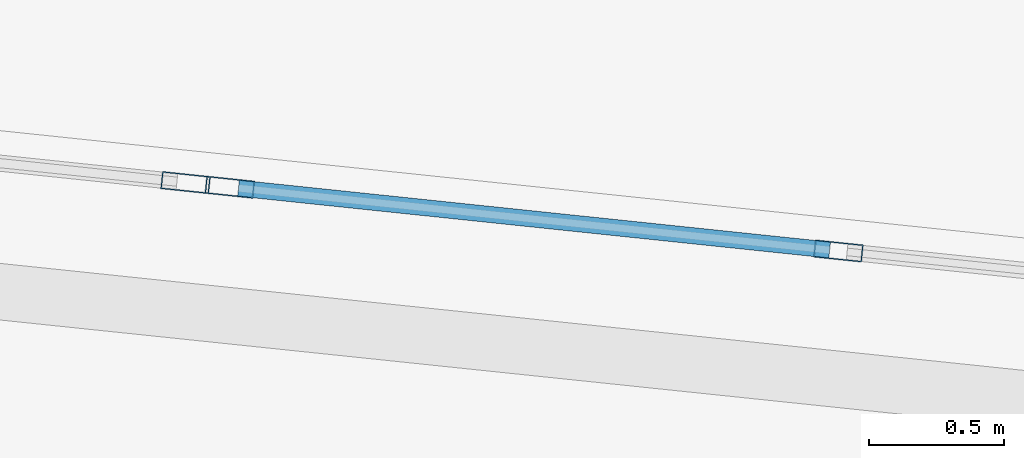
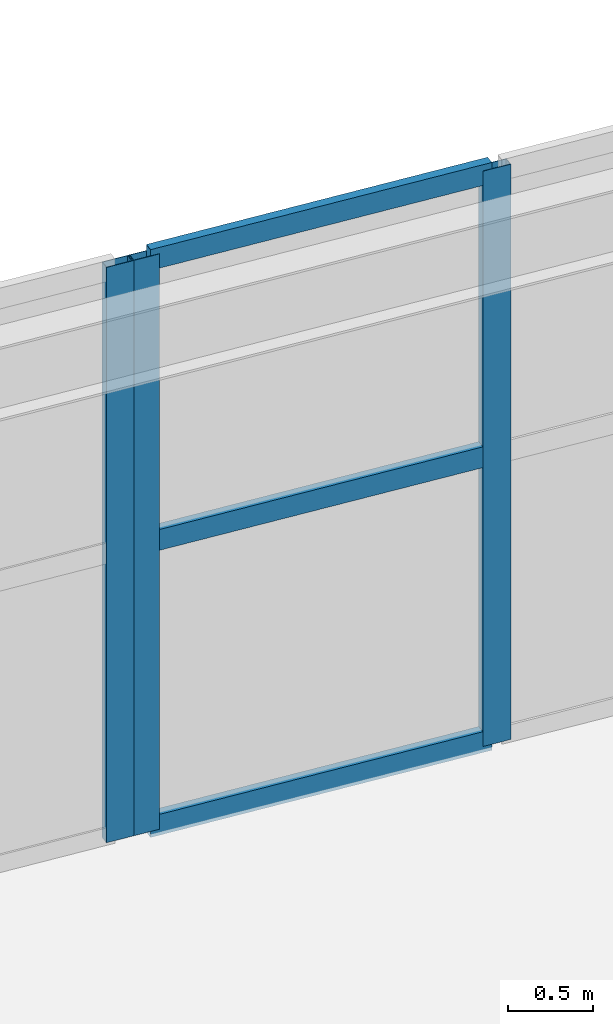
# One storey, part 74 of 126: 6 members, 2 elements without a shape of their own.
"""IFC4 building model written with IfcOpenShell, lengths in metres."""

from ifc_helpers import new_model, si_unit, direction, frame, origin, origin_2d, place, context, subcontext, project, spatial, hollow_rectangle, extrude, material, layer, layer_set, material_profile, profile_set, type_object, element, aggregate, save


model = new_model("IFC4")

# Units and contexts
model_context = context("Model", 3, precision=1e-05, world=origin(), true_north=direction((0.0, 1.0)))
body_context = subcontext(model_context, "Body", "Model", "MODEL_VIEW")
ifc_project = project(units=[si_unit("LENGTHUNIT", "METRE"), si_unit("AREAUNIT", "SQUARE_METRE"), si_unit("VOLUMEUNIT", "CUBIC_METRE"), si_unit("PLANEANGLEUNIT", "RADIAN"), si_unit("MASSUNIT", "GRAM", prefix="KILO")], contexts=[model_context])

# Site, building, storey
site_placement = place(None, origin())
site = spatial("IfcSite", under=ifc_project, at=site_placement, CompositionType="ELEMENT")
building_placement = place(site_placement, origin())
building = spatial("IfcBuilding", under=site, at=building_placement, Name="Kalgoora Escarpment Arena", CompositionType="ELEMENT")
storey_placement = place(building_placement, frame((0.0, 0.0, 18.89990234375)))
storey = spatial("IfcBuildingStorey", under=building, at=storey_placement, Name="L04", CompositionType="ELEMENT", Elevation=18.89990234375)

# Curtain wall, member
ifc_material_1 = material(Name=" Champagne anodised aluminium & double-glazed low-E", Category="aluminium")
ifc_layer_1 = layer(ifc_material_1, 0.166015625)
ifc_layer_set_1 = layer_set([ifc_layer_1], Name="CW-UNIT-04")
curtain_wall_type_1 = type_object("IfcCurtainWallType", Name="CW-UNIT-04", PredefinedType="NOTDEFINED", material=ifc_layer_set_1)
curtain_wall_1_placement = place(storey_placement, origin())
curtain_wall_1 = element("IfcCurtainWall", 1, at=curtain_wall_1_placement, inside=storey, type_object=curtain_wall_type_1, Name="L04 unitised facade curtain wall 163", PredefinedType="NOTDEFINED")
ifc_material_2 = material(Name="Anodised aluminium 6063-T6", Category="aluminium")
ifc_material_profile_1 = material_profile(ifc_material_2, hollow_rectangle(XDim=0.06494140625, YDim=0.179931640625, WallThickness=0.00390625, at=origin_2d()))
ifc_profile_set_1 = profile_set([ifc_material_profile_1], Name="Anodised aluminium 6063-T6")
member_type_1 = type_object("IfcMemberType", Name="MEM-CW-MULL-180", PredefinedType="MULLION", material=ifc_profile_set_1)
member_1_placement = place(storey_placement, frame((101.674560546875, 120.5078125, 0.02001953125), z_axis=(0.0, 0.0, 1.0), x_axis=(0.104182310405, 0.994558216596, 0.0)))
member_1 = element("IfcMember", 2, at=member_1_placement, type_object=member_type_1, Name="CW-04 mullion 3", PredefinedType="MULLION", context=body_context, shape_type="SweptSolid", body=[
    extrude(hollow_rectangle(XDim=0.06494140625, YDim=0.179931640625, WallThickness=0.00390625, at=origin_2d()), origin(), (0.0, 0.0, 1.0), 4.150146484375),
])
aggregate(curtain_wall_1, [member_1])

# Curtain wall, members
ifc_material_3 = material(Name=" Champagne anodised aluminium & double-glazed low-E", Category="aluminium")
ifc_layer_2 = layer(ifc_material_3, 0.14990234375)
ifc_layer_set_2 = layer_set([ifc_layer_2], Name="CW-UNIT-05")
curtain_wall_type_2 = type_object("IfcCurtainWallType", Name="CW-UNIT-05", PredefinedType="NOTDEFINED", material=ifc_layer_set_2)
curtain_wall_2_placement = place(storey_placement, origin())
curtain_wall_2 = element("IfcCurtainWall", 3, at=curtain_wall_2_placement, inside=storey, type_object=curtain_wall_type_2, Name="L04 unitised facade curtain wall 164", PredefinedType="NOTDEFINED")
member_2_placement = place(storey_placement, frame((101.8388671875, 120.49072265625, 0.02001953125), z_axis=(0.0, 0.0, 1.0), x_axis=(0.104182310405, 0.994558216596, 0.0)))
member_2 = element("IfcMember", 4, at=member_2_placement, type_object=member_type_1, Name="CW-05 mullion 1", PredefinedType="MULLION", context=body_context, shape_type="SweptSolid", body=[
    extrude(hollow_rectangle(XDim=0.06494140625, YDim=0.179931640625, WallThickness=0.00390625, at=origin_2d()), origin(), (0.0, 0.0, 1.0), 4.150146484375),
])
member_3_placement = place(storey_placement, frame((104.09912109375, 120.25390625, 0.02001953125), z_axis=(0.0, 0.0, 1.0), x_axis=(0.104182310405, 0.994558216596, 0.0)))
member_3 = element("IfcMember", 5, at=member_3_placement, type_object=member_type_1, Name="CW-05 mullion 2", PredefinedType="MULLION", context=body_context, shape_type="SweptSolid", body=[
    extrude(hollow_rectangle(XDim=0.06494140625, YDim=0.179931640625, WallThickness=0.00390625, at=origin_2d()), origin(), (0.0, 0.0, 1.0), 4.150146484375),
])
ifc_material_4 = material(Name="Anodised aluminium 6063-T6", Category="aluminium")
ifc_material_profile_2 = material_profile(ifc_material_4, hollow_rectangle(XDim=0.06005859375, YDim=0.14990234375, WallThickness=0.00341796875, at=origin_2d()))
ifc_profile_set_2 = profile_set([ifc_material_profile_2], Name="Anodised aluminium 6063-T6")
member_type_2 = type_object("IfcMemberType", Name="MEM-CW-TRAN-150", PredefinedType="USERDEFINED", material=ifc_profile_set_2)
member_4_placement = place(storey_placement, frame((101.87109375, 120.4873046875, 0.050048828125), z_axis=(0.994558650699, -0.104178166236, 0.0), x_axis=(0.104178166236, 0.994558650699, 0.0)))
member_4 = element("IfcMember", 6, at=member_4_placement, type_object=member_type_2, Name="CW-05 transom 1.1", ObjectType="TRANSOM", PredefinedType="USERDEFINED", context=body_context, shape_type="SweptSolid", body=[
    extrude(hollow_rectangle(XDim=0.06005859375, YDim=0.14990234375, WallThickness=0.00341796875, at=origin_2d()), origin(), (0.0, 0.0, 1.0), 2.20751953125),
])
member_5_placement = place(storey_placement, frame((101.87109375, 120.4873046875, 2.10498046875), z_axis=(0.994558650699, -0.104178166236, 0.0), x_axis=(0.104178166236, 0.994558650699, 0.0)))
member_5 = element("IfcMember", 7, at=member_5_placement, type_object=member_type_2, Name="CW-05 transom 1.2", ObjectType="TRANSOM", PredefinedType="USERDEFINED", context=body_context, shape_type="SweptSolid", body=[
    extrude(hollow_rectangle(XDim=0.06005859375, YDim=0.14990234375, WallThickness=0.00341796875, at=origin_2d()), origin(), (0.0, 0.0, 1.0), 2.20751953125),
])
member_6_placement = place(storey_placement, frame((101.87109375, 120.4873046875, 4.14013671875), z_axis=(0.994558650699, -0.104178166236, 0.0), x_axis=(0.104178166236, 0.994558650699, 0.0)))
member_6 = element("IfcMember", 8, at=member_6_placement, type_object=member_type_2, Name="CW-05 transom 1.3", ObjectType="TRANSOM", PredefinedType="USERDEFINED", context=body_context, shape_type="SweptSolid", body=[
    extrude(hollow_rectangle(XDim=0.06005859375, YDim=0.14990234375, WallThickness=0.00341796875, at=origin_2d()), origin(), (0.0, 0.0, 1.0), 2.20751953125),
])
aggregate(curtain_wall_2, [member_2, member_3, member_4, member_5, member_6])

save(model, "model.ifc")
